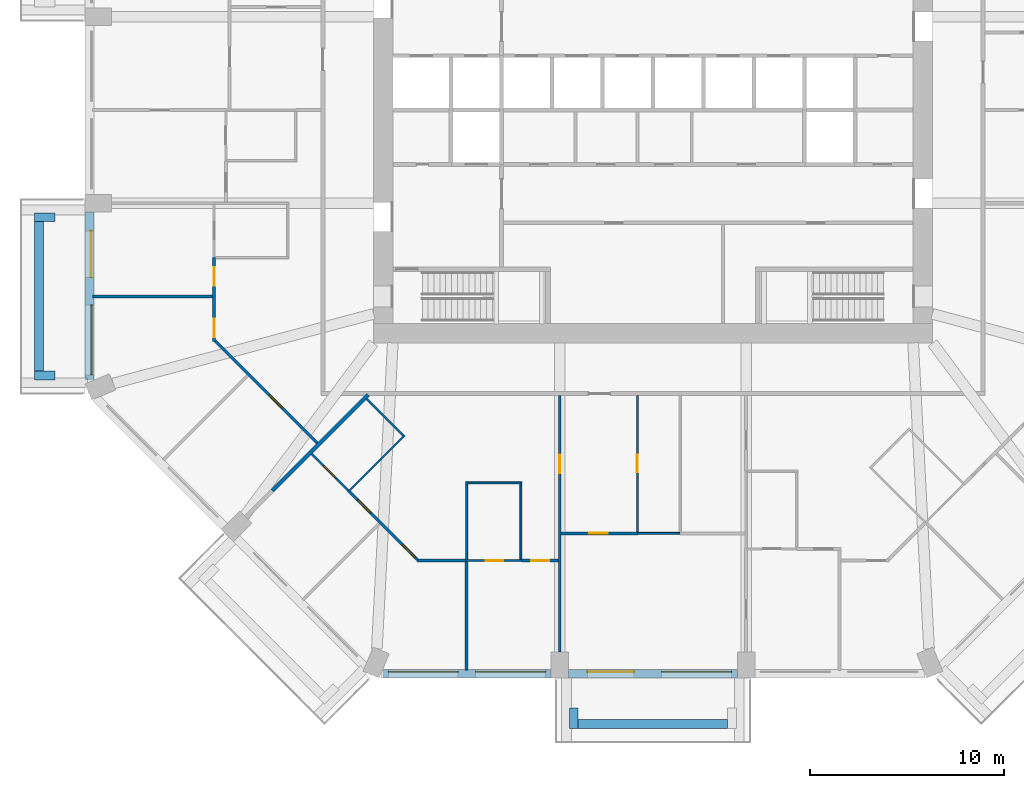
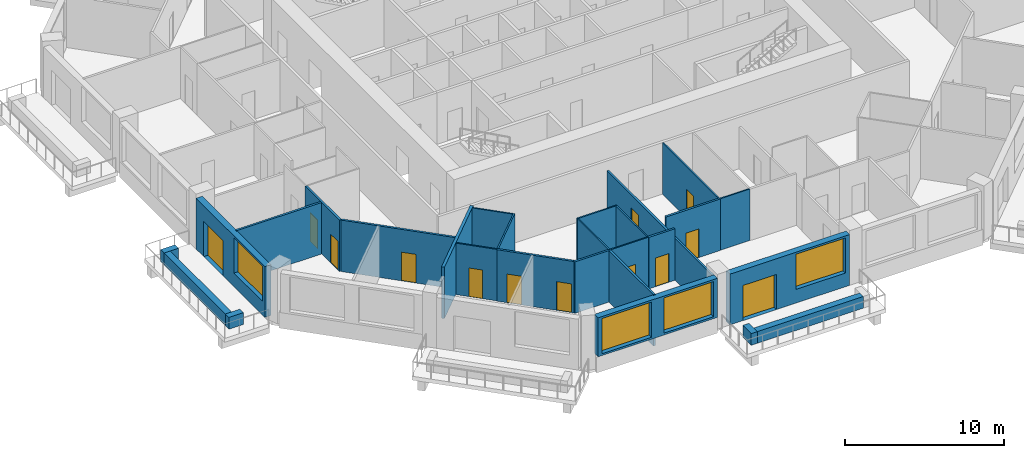
# One storey, part 3 of 13: 27 walls, 13 doors, 4 windows, 17 openings.
"""IFC4 building model written with IfcOpenShell, lengths in metres."""

from ifc_helpers import new_model, si_unit, direction, frame, frame_2d, origin, place, context, subcontext, project, spatial, rectangle, extrude, material, layer, layer_set, type_object, element, fill, save


model = new_model("IFC4")

# Units and contexts
model_context = context("Model", 3, precision=1e-05, world=origin(), true_north=direction((0.0, 1.0)))
body_context = subcontext(model_context, "Body", "Model", "MODEL_VIEW")
ifc_project = project(units=[si_unit("LENGTHUNIT", "METRE"), si_unit("AREAUNIT", "SQUARE_METRE"), si_unit("VOLUMEUNIT", "CUBIC_METRE"), si_unit("PLANEANGLEUNIT", "RADIAN"), si_unit("MASSUNIT", "GRAM", prefix="KILO")], contexts=[model_context])

# Site, building, storey
site_placement = place(None, origin())
site = spatial("IfcSite", under=ifc_project, at=site_placement, CompositionType="ELEMENT")
building_placement = place(site_placement, origin())
building = spatial("IfcBuilding", under=site, at=building_placement, Name="Msitu Wima Residences", CompositionType="ELEMENT")
storey_placement = place(building_placement, frame((0.0, 0.0, 59.10009765625)))
storey = spatial("IfcBuildingStorey", under=building, at=storey_placement, Name="L13", CompositionType="ELEMENT", Elevation=59.10009765625)

# Walls
ifc_material_1 = material(Name="Facing brick")
ifc_layer_1 = layer(ifc_material_1, 0.06494140625, Name="Facing brick")
ifc_material_2 = material(Name="Concrete C40/50", Category="concrete")
ifc_layer_2 = layer(ifc_material_2, 0.156005859375, Name="Concrete C40/50")
ifc_material_3 = material(Name="Waterproofing membrane")
ifc_layer_3 = layer(ifc_material_3, 0.00390625, Name="Waterproofing membrane")
ifc_material_4 = material(Name="Planting soil and planting")
ifc_layer_4 = layer(ifc_material_4, 0.22509765625, Name="Planting soil and planting")
ifc_layer_set_1 = layer_set([ifc_layer_1, ifc_layer_2, ifc_layer_3, ifc_layer_4], Name="Concrete C40/50")
wall_type_1 = type_object("IfcWallType", Name="Balcony planter PLANTER PL450", PredefinedType="USERDEFINED", material=ifc_layer_set_1)
wall_1_placement = place(storey_placement, frame((-31.625, -5.75, 0.0), z_axis=(0.0, 0.0, 1.0), x_axis=(0.0, -1.0, 0.0)))
element("IfcWall", 1, at=wall_1_placement, inside=storey, type_object=wall_type_1, Name="Balcony planter W2 L13", ObjectType="PLANTER", PredefinedType="USERDEFINED", context=body_context, shape_type="SweptSolid", body=[
    extrude(rectangle(XDim=7.699951171875, YDim=0.449951171875, at=frame_2d((3.85009765625, 0.0))), origin(), (0.0, 0.0, 1.0), 0.89990234375),
])
for number, where, z_axis, x_axis, name in (
    (2, (-30.800048828125, -5.52490234375, 0.0), (0.0, 0.0, 1.0), (-1.0, 0.0, 0.0), "Balcony planter W2 L13"),
    (3, (-30.800048828125, -13.675048828125, 0.0), (0.0, 0.0, 1.0), (-1.0, 0.0, 0.0), "Balcony planter W2 L13"),
):
    element("IfcWall", number, at=place(storey_placement, frame(where, z_axis=z_axis, x_axis=x_axis)), inside=storey, type_object=wall_type_1, Name=name, ObjectType="PLANTER", PredefinedType="USERDEFINED", context=body_context, shape_type="SweptSolid", body=[
        extrude(rectangle(XDim=1.050048828125, YDim=0.449951171875, at=frame_2d((0.52490234375, 0.0))), origin(), (0.0, 0.0, 1.0), 0.89990234375),
    ])
wall_2_placement = place(storey_placement, frame((-3.85009765625, -31.625, 0.0), z_axis=(0.0, 0.0, 1.0), x_axis=(1.0, 0.0, 0.0)))
element("IfcWall", 4, at=wall_2_placement, inside=storey, type_object=wall_type_1, Name="Balcony planter S1 L13", ObjectType="PLANTER", PredefinedType="USERDEFINED", context=body_context, shape_type="SweptSolid", body=[
    extrude(rectangle(XDim=7.7001953125, YDim=0.449951171875, at=frame_2d((3.85009765625, 0.0))), origin(), (0.0, 0.0, 1.0), 0.89990234375),
])
wall_3_placement = place(storey_placement, frame((-4.074951171875, -30.800048828125, 0.0), z_axis=(0.0, 0.0, 1.0), x_axis=(0.0, -1.0, 0.0)))
element("IfcWall", 5, at=wall_3_placement, inside=storey, type_object=wall_type_1, Name="Balcony planter S1 L13", ObjectType="PLANTER", PredefinedType="USERDEFINED", context=body_context, shape_type="SweptSolid", body=[
    extrude(rectangle(XDim=1.050048828125, YDim=0.449951171875, at=frame_2d((0.52490234375, 0.0))), origin(), (0.0, 0.0, 1.0), 0.89990234375),
])

# Wall, openings, door, window
ifc_material_5 = material(Name="Brick (red buff mix)", Category="masonry")
ifc_layer_5 = layer(ifc_material_5, 0.449951171875)
ifc_layer_set_2 = layer_set([ifc_layer_5], Name="Brick (red buff mix)")
wall_type_2 = type_object("IfcWallType", Name="Brick infill wall BW450", PredefinedType="SOLIDWALL", material=ifc_layer_set_2)
wall_4_placement = place(storey_placement, frame((-29.02490234375, -5.25, 0.0), z_axis=(0.0, 0.0, 1.0), x_axis=(0.0, -1.0, 0.0)))
wall_4 = element("IfcWall", 6, at=wall_4_placement, inside=storey, type_object=wall_type_2, Name="Brick infill wall L13 W2", PredefinedType="SOLIDWALL", context=body_context, shape_type="SweptSolid", body=[
    extrude(rectangle(XDim=8.662841796875, YDim=0.449951171875, at=frame_2d((4.33154296875, 0.0))), origin(), (0.0, 0.0, 1.0), 3.89990234375),
])
opening_1_placement = place(wall_4_placement, frame((0.9658203125, 0.0, 0.0)))
opening_1 = element("IfcOpeningElement", 7, at=opening_1_placement, cuts=wall_4, Name="Opening D13-15.010", PredefinedType="OPENING", context=body_context, shape_type="SweptSolid", body=[
    extrude(rectangle(XDim=2.39990234375, YDim=2.699951171875, at=frame_2d((1.199951171875, 1.35009765625))), frame((0.0, 0.23486328125, 0.0), z_axis=(0.0, -1.0, 0.0), x_axis=(1.0, 0.0, 0.0)), (0.0, 0.0, 1.0), 0.469970703125),
])
opening_2_placement = place(wall_4_placement, frame((4.781494140625, 0.0, 1.050048828125)))
opening_2 = element("IfcOpeningElement", 8, at=opening_2_placement, cuts=wall_4, Name="Opening W13-15.030", PredefinedType="OPENING", context=body_context, shape_type="SweptSolid", body=[
    extrude(rectangle(XDim=3.60009765625, YDim=2.699951171875, at=frame_2d((1.800048828125, 1.35009765625))), frame((0.0, 0.23486328125, 0.0), z_axis=(0.0, -1.0, 0.0), x_axis=(1.0, 0.0, 0.0)), (0.0, 0.0, 1.0), 0.469970703125),
])
ifc_material_6 = material(Name="Anodised aluminium, bronze finish, clear low-emissivity double glazing", Category="aluminium")
door_type_1 = type_object("IfcDoorType", Name="Balcony door D2400x2700", OperationType="SLIDING_TO_LEFT", PredefinedType="DOOR", material=ifc_material_6)
door_1_placement = place(opening_1_placement, origin())
door_1 = element("IfcDoor", 9, at=door_1_placement, inside=storey, type_object=door_type_1, Name="Balcony door L13 W2", OperationType="SINGLE_SWING_LEFT", OverallHeight=2.699951171875, OverallWidth=2.39990234375, PredefinedType="DOOR", context=body_context, shape_type="SweptSolid", body=[
    extrude(rectangle(XDim=2.39990234375, YDim=2.699951171875, at=frame_2d((1.199951171875, 1.35009765625))), frame((0.0, 0.1298828125, 0.0), z_axis=(0.0, -1.0, 0.0), x_axis=(1.0, 0.0, 0.0)), (0.0, 0.0, 1.0), 0.050048828125),
])
fill(opening_1, door_1)
window_type = type_object("IfcWindowType", Name="Window W3600x2700", PartitioningType="DOUBLE_PANEL_VERTICAL", PredefinedType="WINDOW", material=ifc_material_6)
window_1_placement = place(opening_2_placement, origin())
window_1 = element("IfcWindow", 10, at=window_1_placement, inside=storey, type_object=window_type, Name="Window L13 W2.2", OverallHeight=2.699951171875, OverallWidth=3.60009765625, PartitioningType="SINGLE_PANEL", PredefinedType="WINDOW", context=body_context, shape_type="SweptSolid", body=[
    extrude(rectangle(XDim=3.60009765625, YDim=2.699951171875, at=frame_2d((1.800048828125, 1.35009765625))), frame((0.0, 0.135009765625, 0.0), z_axis=(0.0, -1.0, 0.0), x_axis=(1.0, 0.0, 0.0)), (0.0, 0.0, 1.0), 0.06005859375),
])
fill(opening_2, window_1)

# Wall, openings, windows
wall_5_placement = place(storey_placement, frame((-13.912841796875, -29.02490234375, 0.89990234375), z_axis=(0.0, 0.0, 1.0), x_axis=(1.0, 0.0, 0.0)))
wall_5 = element("IfcWall", 11, at=wall_5_placement, inside=storey, type_object=wall_type_2, Name="Brick infill wall L13 S0", PredefinedType="SOLIDWALL", context=body_context, shape_type="SweptSolid", body=[
    extrude(rectangle(XDim=8.662841796875, YDim=0.449951171875, at=frame_2d((4.33154296875, 0.0))), origin(), (0.0, 0.0, 1.0), 3.0),
])
opening_3_placement = place(wall_5_placement, frame((0.281494140625, 0.0, 0.14990234375)))
opening_3 = element("IfcOpeningElement", 12, at=opening_3_placement, cuts=wall_5, Name="Opening W13-15.016", PredefinedType="OPENING", context=body_context, shape_type="SweptSolid", body=[
    extrude(rectangle(XDim=3.60009765625, YDim=2.699951171875, at=frame_2d((1.800048828125, 1.35009765625))), frame((0.0, 0.23486328125, 0.0), z_axis=(0.0, -1.0, 0.0), x_axis=(1.0, 0.0, 0.0)), (0.0, 0.0, 1.0), 0.469970703125),
])
opening_4_placement = place(wall_5_placement, frame((4.781494140625, 0.0, 0.14990234375)))
opening_4 = element("IfcOpeningElement", 13, at=opening_4_placement, cuts=wall_5, Name="Opening W13-15.017", PredefinedType="OPENING", context=body_context, shape_type="SweptSolid", body=[
    extrude(rectangle(XDim=3.60009765625, YDim=2.699951171875, at=frame_2d((1.800048828125, 1.35009765625))), frame((0.0, 0.23486328125, 0.0), z_axis=(0.0, -1.0, 0.0), x_axis=(1.0, 0.0, 0.0)), (0.0, 0.0, 1.0), 0.469970703125),
])
window_2_placement = place(opening_3_placement, origin())
window_2 = element("IfcWindow", 14, at=window_2_placement, inside=storey, type_object=window_type, Name="Window L13 S0.1", OverallHeight=2.699951171875, OverallWidth=3.60009765625, PartitioningType="SINGLE_PANEL", PredefinedType="WINDOW", context=body_context, shape_type="SweptSolid", body=[
    extrude(rectangle(XDim=3.60009765625, YDim=2.699951171875, at=frame_2d((1.800048828125, 1.35009765625))), frame((0.0, 0.135009765625, 0.0), z_axis=(0.0, -1.0, 0.0), x_axis=(1.0, 0.0, 0.0)), (0.0, 0.0, 1.0), 0.06005859375),
])
fill(opening_3, window_2)
window_3_placement = place(opening_4_placement, origin())
window_3 = element("IfcWindow", 15, at=window_3_placement, inside=storey, type_object=window_type, Name="Window L13 S0.2", OverallHeight=2.699951171875, OverallWidth=3.60009765625, PartitioningType="SINGLE_PANEL", PredefinedType="WINDOW", context=body_context, shape_type="SweptSolid", body=[
    extrude(rectangle(XDim=3.60009765625, YDim=2.699951171875, at=frame_2d((1.800048828125, 1.35009765625))), frame((0.0, 0.135009765625, 0.0), z_axis=(0.0, -1.0, 0.0), x_axis=(1.0, 0.0, 0.0)), (0.0, 0.0, 1.0), 0.06005859375),
])
fill(opening_4, window_3)

# Wall, openings, door, window
wall_6_placement = place(storey_placement, frame((-4.35009765625, -29.02490234375, 0.0), z_axis=(0.0, 0.0, 1.0), x_axis=(1.0, 0.0, 0.0)))
wall_6 = element("IfcWall", 16, at=wall_6_placement, inside=storey, type_object=wall_type_2, Name="Brick infill wall L13 S1", PredefinedType="SOLIDWALL", context=body_context, shape_type="SweptSolid", body=[
    extrude(rectangle(XDim=8.7001953125, YDim=0.449951171875, at=frame_2d((4.35009765625, 0.0))), origin(), (0.0, 0.0, 1.0), 3.89990234375),
])
opening_5_placement = place(wall_6_placement, frame((0.97509765625, 0.0, 0.0)))
opening_5 = element("IfcOpeningElement", 17, at=opening_5_placement, cuts=wall_6, Name="Opening D13-15.006", PredefinedType="OPENING", context=body_context, shape_type="SweptSolid", body=[
    extrude(rectangle(XDim=2.39990234375, YDim=2.699951171875, at=frame_2d((1.199951171875, 1.35009765625))), frame((0.0, 0.23486328125, 0.0), z_axis=(0.0, -1.0, 0.0), x_axis=(1.0, 0.0, 0.0)), (0.0, 0.0, 1.0), 0.469970703125),
])
opening_6_placement = place(wall_6_placement, frame((4.800048828125, 0.0, 1.050048828125)))
opening_6 = element("IfcOpeningElement", 18, at=opening_6_placement, cuts=wall_6, Name="Opening W13-15.018", PredefinedType="OPENING", context=body_context, shape_type="SweptSolid", body=[
    extrude(rectangle(XDim=3.60009765625, YDim=2.699951171875, at=frame_2d((1.800048828125, 1.35009765625))), frame((0.0, 0.23486328125, 0.0), z_axis=(0.0, -1.0, 0.0), x_axis=(1.0, 0.0, 0.0)), (0.0, 0.0, 1.0), 0.469970703125),
])
door_2_placement = place(opening_5_placement, origin())
door_2 = element("IfcDoor", 19, at=door_2_placement, inside=storey, type_object=door_type_1, Name="Balcony door L13 S1", OperationType="SINGLE_SWING_LEFT", OverallHeight=2.699951171875, OverallWidth=2.39990234375, PredefinedType="DOOR", context=body_context, shape_type="SweptSolid", body=[
    extrude(rectangle(XDim=2.39990234375, YDim=2.699951171875, at=frame_2d((1.199951171875, 1.35009765625))), frame((0.0, 0.1298828125, 0.0), z_axis=(0.0, -1.0, 0.0), x_axis=(1.0, 0.0, 0.0)), (0.0, 0.0, 1.0), 0.050048828125),
])
fill(opening_5, door_2)
window_4_placement = place(opening_6_placement, origin())
window_4 = element("IfcWindow", 20, at=window_4_placement, inside=storey, type_object=window_type, Name="Window L13 S1.2", OverallHeight=2.699951171875, OverallWidth=3.60009765625, PartitioningType="SINGLE_PANEL", PredefinedType="WINDOW", context=body_context, shape_type="SweptSolid", body=[
    extrude(rectangle(XDim=3.60009765625, YDim=2.699951171875, at=frame_2d((1.800048828125, 1.35009765625))), frame((0.0, 0.135009765625, 0.0), z_axis=(0.0, -1.0, 0.0), x_axis=(1.0, 0.0, 0.0)), (0.0, 0.0, 1.0), 0.06005859375),
])
fill(opening_6, window_4)

# Wall
ifc_material_7 = material(Name="Plaster")
ifc_layer_6 = layer(ifc_material_7, 0.011962890625, Name="Plaster")
ifc_material_8 = material(Name="Concrete blockwork", Category="masonry")
ifc_layer_7 = layer(ifc_material_8, 0.1259765625, Name="Concrete blockwork")
ifc_layer_8 = layer(ifc_material_7, 0.011962890625, Name="Plaster")
ifc_layer_set_3 = layer_set([ifc_layer_6, ifc_layer_7, ifc_layer_8], Name="Concrete blockwork")
wall_type_3 = type_object("IfcWallType", Name="Partition PW150", PredefinedType="PARTITIONING", material=ifc_layer_set_3)
wall_7_placement = place(storey_placement, frame((-28.85498046875, -9.60009765625, 0.0), z_axis=(0.0, 0.0, 1.0), x_axis=(1.0, 0.0, 0.0)))
element("IfcWall", 21, at=wall_7_placement, inside=storey, type_object=wall_type_3, Name="Partition", PredefinedType="PARTITIONING", context=body_context, shape_type="SweptSolid", body=[
    extrude(rectangle(XDim=6.179931640625, YDim=0.14990234375, at=frame_2d((3.08984375, 0.0))), origin(), (0.0, 0.0, 1.0), 3.949951171875),
])

# Wall, openings, doors
wall_8_placement = place(storey_placement, frame((-22.60009765625, -11.906982421875, 0.0), z_axis=(0.0, 0.0, 1.0), x_axis=(0.0, 1.0, 0.0)))
wall_8 = element("IfcWall", 22, at=wall_8_placement, inside=storey, type_object=wall_type_3, Name="Partition", PredefinedType="PARTITIONING", context=body_context, shape_type="SweptSolid", body=[
    extrude(rectangle(XDim=4.306884765625, YDim=0.14990234375, at=frame_2d((2.1533203125, 0.0))), origin(), (0.0, 0.0, 1.0), 3.949951171875),
])
opening_7_placement = place(wall_8_placement, frame((2.85009765625, 0.0, 0.0)))
opening_7 = element("IfcOpeningElement", 23, at=opening_7_placement, cuts=wall_8, Name="Opening D13-15.052", PredefinedType="OPENING", context=body_context, shape_type="SweptSolid", body=[
    extrude(rectangle(XDim=0.949951171875, YDim=2.199951171875, at=frame_2d((0.47509765625, 1.10009765625))), frame((0.0, 0.0849609375, 0.0), z_axis=(0.0, -1.0, 0.0), x_axis=(1.0, 0.0, 0.0)), (0.0, 0.0, 1.0), 0.169921875),
])
opening_8_placement = place(wall_8_placement, frame((0.199951171875, 0.0, 0.0)))
opening_8 = element("IfcOpeningElement", 24, at=opening_8_placement, cuts=wall_8, Name="Opening D13-15.055", PredefinedType="OPENING", context=body_context, shape_type="SweptSolid", body=[
    extrude(rectangle(XDim=0.949951171875, YDim=2.199951171875, at=frame_2d((0.47509765625, 1.10009765625))), frame((0.0, 0.0849609375, 0.0), z_axis=(0.0, -1.0, 0.0), x_axis=(1.0, 0.0, 0.0)), (0.0, 0.0, 1.0), 0.169921875),
])
ifc_material_9 = material(Name="Timber flush door", Category="wood")
door_type_2 = type_object("IfcDoorType", Name="Room door D12 950x2200", OperationType="SINGLE_SWING_LEFT", PredefinedType="DOOR", material=ifc_material_9)
door_3_placement = place(opening_7_placement, origin())
door_3 = element("IfcDoor", 25, at=door_3_placement, inside=storey, type_object=door_type_2, Name="Room door", OperationType="SINGLE_SWING_LEFT", OverallHeight=2.199951171875, OverallWidth=0.949951171875, PredefinedType="DOOR", context=body_context, shape_type="SweptSolid", body=[
    extrude(rectangle(XDim=0.949951171875, YDim=2.199951171875, at=frame_2d((0.47509765625, 1.10009765625))), frame((0.0, 0.02490234375, 0.0), z_axis=(0.0, -1.0, 0.0), x_axis=(1.0, 0.0, 0.0)), (0.0, 0.0, 1.0), 0.050048828125),
])
fill(opening_7, door_3)
door_4_placement = place(opening_8_placement, origin())
door_4 = element("IfcDoor", 26, at=door_4_placement, inside=storey, type_object=door_type_2, Name="Room door", OperationType="SINGLE_SWING_RIGHT", OverallHeight=2.199951171875, OverallWidth=0.949951171875, PredefinedType="DOOR", context=body_context, shape_type="SweptSolid", body=[
    extrude(rectangle(XDim=0.949951171875, YDim=2.199951171875, at=frame_2d((0.47509765625, 1.10009765625))), frame((0.0, 0.02490234375, 0.0), z_axis=(0.0, -1.0, 0.0), x_axis=(1.0, 0.0, 0.0)), (0.0, 0.0, 1.0), 0.050048828125),
])
fill(opening_8, door_4)

# Wall, opening, door
wall_9_placement = place(storey_placement, frame((-22.546875, -11.885009765625, 0.0), z_axis=(0.0, 0.0, 1.0), x_axis=(0.707106781187, -0.707106781187, 0.0)))
wall_9 = element("IfcWall", 27, at=wall_9_placement, inside=storey, type_object=wall_type_3, Name="Partition", PredefinedType="PARTITIONING", context=body_context, shape_type="SweptSolid", body=[
    extrude(rectangle(XDim=7.439208984375, YDim=0.14990234375, at=frame_2d((3.7197265625, 0.0))), origin(), (0.0, 0.0, 1.0), 3.949951171875),
])
opening_9_placement = place(wall_9_placement, frame((3.949951171875, 0.0, 0.0)))
opening_9 = element("IfcOpeningElement", 28, at=opening_9_placement, cuts=wall_9, Name="Opening D13-15.054", PredefinedType="OPENING", context=body_context, shape_type="SweptSolid", body=[
    extrude(rectangle(XDim=0.949951171875, YDim=2.199951171875, at=frame_2d((0.47509765625, 1.10009765625))), frame((0.0, 0.0849609375, 0.0), z_axis=(0.0, -1.0, 0.0), x_axis=(1.0, 0.0, 0.0)), (0.0, 0.0, 1.0), 0.169921875),
])
door_5_placement = place(opening_9_placement, origin())
door_5 = element("IfcDoor", 29, at=door_5_placement, inside=storey, type_object=door_type_2, Name="Room door", OperationType="SINGLE_SWING_RIGHT", OverallHeight=2.199951171875, OverallWidth=0.949951171875, PredefinedType="DOOR", context=body_context, shape_type="SweptSolid", body=[
    extrude(rectangle(XDim=0.949951171875, YDim=2.199951171875, at=frame_2d((0.47509765625, 1.10009765625))), frame((0.0, 0.02490234375, 0.0), z_axis=(0.0, -1.0, 0.0), x_axis=(1.0, 0.0, 0.0)), (0.0, 0.0, 1.0), 0.050048828125),
])
fill(opening_9, door_5)

# Wall, openings, doors
wall_10_placement = place(storey_placement, frame((-15.674560546875, -19.60595703125, 0.0), z_axis=(0.0, 0.0, 1.0), x_axis=(0.707106781187, -0.707106781187, 0.0)))
wall_10 = element("IfcWall", 30, at=wall_10_placement, inside=storey, type_object=wall_type_3, Name="Partition", PredefinedType="PARTITIONING", context=body_context, shape_type="SweptSolid", body=[
    extrude(rectangle(XDim=5.0078125, YDim=0.14990234375, at=frame_2d((2.50390625, 0.0))), origin(), (0.0, 0.0, 1.0), 3.949951171875),
])
opening_10_placement = place(wall_10_placement, frame((0.64990234375, 0.0, 0.0)))
opening_10 = element("IfcOpeningElement", 31, at=opening_10_placement, cuts=wall_10, Name="Opening D13-15.068", PredefinedType="OPENING", context=body_context, shape_type="SweptSolid", body=[
    extrude(rectangle(XDim=0.949951171875, YDim=2.199951171875, at=frame_2d((0.47509765625, 1.10009765625))), frame((0.0, 0.0849609375, 0.0), z_axis=(0.0, -1.0, 0.0), x_axis=(1.0, 0.0, 0.0)), (0.0, 0.0, 1.0), 0.169921875),
])
opening_11_placement = place(wall_10_placement, frame((3.89990234375, 0.0, 0.0)))
opening_11 = element("IfcOpeningElement", 32, at=opening_11_placement, cuts=wall_10, Name="Opening D13-15.073", PredefinedType="OPENING", context=body_context, shape_type="SweptSolid", body=[
    extrude(rectangle(XDim=0.949951171875, YDim=2.199951171875, at=frame_2d((0.47509765625, 1.10009765625))), frame((0.0, 0.0849609375, 0.0), z_axis=(0.0, -1.0, 0.0), x_axis=(1.0, 0.0, 0.0)), (0.0, 0.0, 1.0), 0.169921875),
])
door_6_placement = place(opening_10_placement, origin())
door_6 = element("IfcDoor", 33, at=door_6_placement, inside=storey, type_object=door_type_2, Name="Room door", OperationType="SINGLE_SWING_LEFT", OverallHeight=2.199951171875, OverallWidth=0.949951171875, PredefinedType="DOOR", context=body_context, shape_type="SweptSolid", body=[
    extrude(rectangle(XDim=0.949951171875, YDim=2.199951171875, at=frame_2d((0.47509765625, 1.10009765625))), frame((0.0, 0.02490234375, 0.0), z_axis=(0.0, -1.0, 0.0), x_axis=(1.0, 0.0, 0.0)), (0.0, 0.0, 1.0), 0.050048828125),
])
fill(opening_10, door_6)
door_7_placement = place(opening_11_placement, origin())
door_7 = element("IfcDoor", 34, at=door_7_placement, inside=storey, type_object=door_type_2, Name="Room door", OperationType="SINGLE_SWING_RIGHT", OverallHeight=2.199951171875, OverallWidth=0.949951171875, PredefinedType="DOOR", context=body_context, shape_type="SweptSolid", body=[
    extrude(rectangle(XDim=0.949951171875, YDim=2.199951171875, at=frame_2d((0.47509765625, 1.10009765625))), frame((0.0, 0.02490234375, 0.0), z_axis=(0.0, -1.0, 0.0), x_axis=(1.0, 0.0, 0.0)), (0.0, 0.0, 1.0), 0.050048828125),
])
fill(opening_11, door_7)

# Walls
wall_11_placement = place(storey_placement, frame((-12.155517578125, -23.199951171875, 0.0), z_axis=(0.0, 0.0, 1.0), x_axis=(1.0, 0.0, 0.0)))
element("IfcWall", 35, at=wall_11_placement, inside=storey, type_object=wall_type_3, Name="Partition", PredefinedType="PARTITIONING", context=body_context, shape_type="SweptSolid", body=[
    extrude(rectangle(XDim=2.535400390625, YDim=0.14990234375, at=frame_2d((1.267578125, 0.0))), origin(), (0.0, 0.0, 1.0), 3.949951171875),
])
wall_12_placement = place(storey_placement, frame((-9.60009765625, -28.85498046875, 0.0), z_axis=(0.0, 0.0, 1.0), x_axis=(0.0, 1.0, 0.0)))
element("IfcWall", 36, at=wall_12_placement, inside=storey, type_object=wall_type_3, Name="Partition", PredefinedType="PARTITIONING", context=body_context, shape_type="SweptSolid", body=[
    extrude(rectangle(XDim=5.675048828125, YDim=0.14990234375, at=frame_2d((2.83740234375, 0.0))), origin(), (0.0, 0.0, 1.0), 3.949951171875),
])

# Wall, opening, door
wall_13_placement = place(storey_placement, frame((-6.780029296875, -23.199951171875, 0.0), z_axis=(0.0, 0.0, 1.0), x_axis=(1.0, 0.0, 0.0)))
wall_13 = element("IfcWall", 37, at=wall_13_placement, inside=storey, type_object=wall_type_3, Name="Partition", PredefinedType="PARTITIONING", context=body_context, shape_type="SweptSolid", body=[
    extrude(rectangle(XDim=1.905029296875, YDim=0.14990234375, at=frame_2d((0.95263671875, 0.0))), origin(), (0.0, 0.0, 1.0), 3.949951171875),
])
opening_12_placement = place(wall_13_placement, frame((0.5, 0.0, 0.0)))
opening_12 = element("IfcOpeningElement", 38, at=opening_12_placement, cuts=wall_13, Name="Opening D13-15.070", PredefinedType="OPENING", context=body_context, shape_type="SweptSolid", body=[
    extrude(rectangle(XDim=0.949951171875, YDim=2.199951171875, at=frame_2d((0.47509765625, 1.10009765625))), frame((0.0, 0.0849609375, 0.0), z_axis=(0.0, -1.0, 0.0), x_axis=(1.0, 0.0, 0.0)), (0.0, 0.0, 1.0), 0.169921875),
])
door_8_placement = place(opening_12_placement, origin())
door_8 = element("IfcDoor", 39, at=door_8_placement, inside=storey, type_object=door_type_2, Name="Room door", OperationType="SINGLE_SWING_LEFT", OverallHeight=2.199951171875, OverallWidth=0.949951171875, PredefinedType="DOOR", context=body_context, shape_type="SweptSolid", body=[
    extrude(rectangle(XDim=0.949951171875, YDim=2.199951171875, at=frame_2d((0.47509765625, 1.10009765625))), frame((0.0, 0.02490234375, 0.0), z_axis=(0.0, -1.0, 0.0), x_axis=(1.0, 0.0, 0.0)), (0.0, 0.0, 1.0), 0.050048828125),
])
fill(opening_12, door_8)

wall_14_placement = place(storey_placement, frame((-4.800048828125, -27.89990234375, 0.0), z_axis=(0.0, 0.0, 1.0), x_axis=(0.0, 1.0, 0.0)))
wall_14 = element("IfcWall", 40, at=wall_14_placement, inside=storey, type_object=wall_type_3, Name="Partition", PredefinedType="PARTITIONING", context=body_context, shape_type="SweptSolid", body=[
    extrude(rectangle(XDim=13.199951171875, YDim=0.14990234375, at=frame_2d((6.60009765625, 0.0))), origin(), (0.0, 0.0, 1.0), 3.199951171875),
])
opening_13_placement = place(wall_14_placement, frame((9.199951171875, 0.0, 0.0)))
opening_13 = element("IfcOpeningElement", 41, at=opening_13_placement, cuts=wall_14, Name="Opening D13-15.065", PredefinedType="OPENING", context=body_context, shape_type="SweptSolid", body=[
    extrude(rectangle(XDim=0.949951171875, YDim=2.199951171875, at=frame_2d((0.47509765625, 1.10009765625))), frame((0.0, 0.0849609375, 0.0), z_axis=(0.0, -1.0, 0.0), x_axis=(1.0, 0.0, 0.0)), (0.0, 0.0, 1.0), 0.169921875),
])
door_9_placement = place(opening_13_placement, origin())
door_9 = element("IfcDoor", 42, at=door_9_placement, inside=storey, type_object=door_type_2, Name="Room door", OperationType="SINGLE_SWING_RIGHT", OverallHeight=2.199951171875, OverallWidth=0.949951171875, PredefinedType="DOOR", context=body_context, shape_type="SweptSolid", body=[
    extrude(rectangle(XDim=0.949951171875, YDim=2.199951171875, at=frame_2d((0.47509765625, 1.10009765625))), frame((0.0, 0.02490234375, 0.0), z_axis=(0.0, -1.0, 0.0), x_axis=(1.0, 0.0, 0.0)), (0.0, 0.0, 1.0), 0.050048828125),
])
fill(opening_13, door_9)

wall_15_placement = place(storey_placement, frame((-4.72509765625, -21.800048828125, 0.0), z_axis=(0.0, 0.0, 1.0), x_axis=(1.0, 0.0, 0.0)))
wall_15 = element("IfcWall", 43, at=wall_15_placement, inside=storey, type_object=wall_type_3, Name="Partition", PredefinedType="PARTITIONING", context=body_context, shape_type="SweptSolid", body=[
    extrude(rectangle(XDim=3.945068359375, YDim=0.14990234375, at=frame_2d((1.97265625, 0.0))), origin(), (0.0, 0.0, 1.0), 3.949951171875),
])
opening_14_placement = place(wall_15_placement, frame((1.449951171875, 0.0, 0.0)))
opening_14 = element("IfcOpeningElement", 44, at=opening_14_placement, cuts=wall_15, Name="Opening D13-15.066", PredefinedType="OPENING", context=body_context, shape_type="SweptSolid", body=[
    extrude(rectangle(XDim=0.949951171875, YDim=2.199951171875, at=frame_2d((0.47509765625, 1.10009765625))), frame((0.0, 0.0849609375, 0.0), z_axis=(0.0, -1.0, 0.0), x_axis=(1.0, 0.0, 0.0)), (0.0, 0.0, 1.0), 0.169921875),
])
door_10_placement = place(opening_14_placement, origin())
door_10 = element("IfcDoor", 45, at=door_10_placement, inside=storey, type_object=door_type_2, Name="Room door", OperationType="SINGLE_SWING_RIGHT", OverallHeight=2.199951171875, OverallWidth=0.949951171875, PredefinedType="DOOR", context=body_context, shape_type="SweptSolid", body=[
    extrude(rectangle(XDim=0.949951171875, YDim=2.199951171875, at=frame_2d((0.47509765625, 1.10009765625))), frame((0.0, 0.02490234375, 0.0), z_axis=(0.0, -1.0, 0.0), x_axis=(1.0, 0.0, 0.0)), (0.0, 0.0, 1.0), 0.050048828125),
])
fill(opening_14, door_10)

# Wall
ifc_layer_9 = layer(ifc_material_7, 0.011962890625, Name="Plaster")
ifc_material_10 = material(Name="Dense concrete blockwork", Category="masonry")
ifc_layer_10 = layer(ifc_material_10, 0.176025390625, Name="Dense concrete blockwork")
ifc_layer_11 = layer(ifc_material_7, 0.011962890625, Name="Plaster")
ifc_layer_set_4 = layer_set([ifc_layer_9, ifc_layer_10, ifc_layer_11], Name="Dense concrete blockwork")
wall_type_4 = type_object("IfcWallType", Name="Party wall PW200", PredefinedType="PARTITIONING", material=ifc_layer_set_4)
wall_16_placement = place(storey_placement, frame((-19.605712890625, -19.605712890625, 0.0), z_axis=(0.0, 0.0, 1.0), x_axis=(0.707106781187, 0.707106781187, 0.0)))
element("IfcWall", 46, at=wall_16_placement, inside=storey, type_object=wall_type_4, Name="Party wall", PredefinedType="PARTITIONING", context=body_context, shape_type="SweptSolid", body=[
    extrude(rectangle(XDim=6.979248046875, YDim=0.199951171875, at=frame_2d((3.48974609375, 0.0))), origin(), (0.0, 0.0, 1.0), 3.949951171875),
])

# Wall, opening, door
ifc_material_11 = material(Name="Ceramic tiles")
ifc_layer_12 = layer(ifc_material_11, 0.008056640625, Name="Ceramic tiles")
ifc_material_12 = material(Name="Moisture-resistant board")
ifc_layer_13 = layer(ifc_material_12, 0.012451171875, Name="Moisture-resistant board")
ifc_material_13 = material(Name="Light-gauge stud framing with mineral wool")
ifc_layer_14 = layer(ifc_material_13, 0.06689453125, Name="Light-gauge stud framing with mineral wool")
ifc_layer_15 = layer(ifc_material_12, 0.012451171875, Name="Moisture-resistant board")
ifc_layer_set_5 = layer_set([ifc_layer_12, ifc_layer_13, ifc_layer_14, ifc_layer_15], Name="Light-gauge stud framing with mineral wool")
wall_type_5 = type_object("IfcWallType", Name="Wet wall PW100", PredefinedType="PARTITIONING", material=ifc_layer_set_5)
wall_17_placement = place(storey_placement, frame((-17.569580078125, -17.7109375, 0.0), z_axis=(0.0, 0.0, 1.0), x_axis=(0.707106781187, -0.707106781187, 0.0)))
wall_17 = element("IfcWall", 47, at=wall_17_placement, inside=storey, type_object=wall_type_5, Name="Wet wall", PredefinedType="PARTITIONING", context=body_context, shape_type="SweptSolid", body=[
    extrude(rectangle(XDim=2.679931640625, YDim=0.10009765625, at=frame_2d((1.33984375, 0.0))), origin(), (0.0, 0.0, 1.0), 3.949951171875),
])
opening_15_placement = place(wall_17_placement, frame((0.85009765625, 0.0, 0.0)))
opening_15 = element("IfcOpeningElement", 48, at=opening_15_placement, cuts=wall_17, Name="Opening D13-15.069", PredefinedType="OPENING", context=body_context, shape_type="SweptSolid", body=[
    extrude(rectangle(XDim=0.89990234375, YDim=2.199951171875, at=frame_2d((0.449951171875, 1.10009765625))), frame((0.0, 0.06005859375, 0.0), z_axis=(0.0, -1.0, 0.0), x_axis=(1.0, 0.0, 0.0)), (0.0, 0.0, 1.0), 0.1201171875),
])
ifc_material_14 = material(Name="Timber flush door, moisture resistant", Category="wood")
door_type_3 = type_object("IfcDoorType", Name="Bathroom door D03 900x2200", OperationType="SINGLE_SWING_LEFT", PredefinedType="DOOR", material=ifc_material_14)
door_11_placement = place(opening_15_placement, origin())
door_11 = element("IfcDoor", 49, at=door_11_placement, inside=storey, type_object=door_type_3, Name="Bathroom door", OperationType="SINGLE_SWING_LEFT", OverallHeight=2.199951171875, OverallWidth=0.89990234375, PredefinedType="DOOR", context=body_context, shape_type="SweptSolid", body=[
    extrude(rectangle(XDim=0.89990234375, YDim=2.199951171875, at=frame_2d((0.449951171875, 1.10009765625))), frame((0.0, 0.02490234375, 0.0), z_axis=(0.0, -1.0, 0.0), x_axis=(1.0, 0.0, 0.0)), (0.0, 0.0, 1.0), 0.050048828125),
])
fill(opening_15, door_11)

# Walls
wall_18_placement = place(storey_placement, frame((-15.607177734375, -19.567138671875, 0.0), z_axis=(0.0, 0.0, 1.0), x_axis=(0.707076070127, 0.707137490912, 0.0)))
element("IfcWall", 50, at=wall_18_placement, inside=storey, type_object=wall_type_5, Name="Wet wall", PredefinedType="PARTITIONING", context=body_context, shape_type="SweptSolid", body=[
    extrude(rectangle(XDim=3.974853515625, YDim=0.10009765625, at=frame_2d((1.9873046875, 0.0))), origin(), (0.0, 0.0, 1.0), 3.949951171875),
])
wall_19_placement = place(storey_placement, frame((-14.740966796875, -14.882568359375, 0.0), z_axis=(0.0, 0.0, 1.0), x_axis=(0.707106781187, -0.707106781187, 0.0)))
element("IfcWall", 51, at=wall_19_placement, inside=storey, type_object=wall_type_5, Name="Wet wall", PredefinedType="PARTITIONING", context=body_context, shape_type="SweptSolid", body=[
    extrude(rectangle(XDim=2.64990234375, YDim=0.10009765625, at=frame_2d((1.324951171875, 0.0))), origin(), (0.0, 0.0, 1.0), 3.949951171875),
])

# Wall, opening, door
wall_20_placement = place(storey_placement, frame((-9.6201171875, -23.199951171875, 0.0), z_axis=(0.0, 0.0, 1.0), x_axis=(1.0, 0.0, 0.0)))
wall_20 = element("IfcWall", 52, at=wall_20_placement, inside=storey, type_object=wall_type_5, Name="Wet wall", PredefinedType="PARTITIONING", context=body_context, shape_type="SweptSolid", body=[
    extrude(rectangle(XDim=2.840087890625, YDim=0.10009765625, at=frame_2d((1.419921875, 0.0))), origin(), (0.0, 0.0, 1.0), 3.949951171875),
])
opening_16_placement = place(wall_20_placement, frame((1.0, 0.0, 0.0)))
opening_16 = element("IfcOpeningElement", 53, at=opening_16_placement, cuts=wall_20, Name="Opening D13-15.072", PredefinedType="OPENING", context=body_context, shape_type="SweptSolid", body=[
    extrude(rectangle(XDim=0.89990234375, YDim=2.199951171875, at=frame_2d((0.449951171875, 1.10009765625))), frame((0.0, 0.06005859375, 0.0), z_axis=(0.0, -1.0, 0.0), x_axis=(1.0, 0.0, 0.0)), (0.0, 0.0, 1.0), 0.1201171875),
])
door_12_placement = place(opening_16_placement, origin())
door_12 = element("IfcDoor", 54, at=door_12_placement, inside=storey, type_object=door_type_3, Name="Bathroom door", OperationType="SINGLE_SWING_RIGHT", OverallHeight=2.199951171875, OverallWidth=0.89990234375, PredefinedType="DOOR", context=body_context, shape_type="SweptSolid", body=[
    extrude(rectangle(XDim=0.89990234375, YDim=2.199951171875, at=frame_2d((0.449951171875, 1.10009765625))), frame((0.0, 0.02490234375, 0.0), z_axis=(0.0, -1.0, 0.0), x_axis=(1.0, 0.0, 0.0)), (0.0, 0.0, 1.0), 0.050048828125),
])
fill(opening_16, door_12)

# Walls
wall_21_placement = place(storey_placement, frame((-9.60009765625, -23.179931640625, 0.0), z_axis=(0.0, 0.0, 1.0), x_axis=(0.0, 1.0, 0.0)))
element("IfcWall", 55, at=wall_21_placement, inside=storey, type_object=wall_type_5, Name="Wet wall", PredefinedType="PARTITIONING", context=body_context, shape_type="SweptSolid", body=[
    extrude(rectangle(XDim=3.929931640625, YDim=0.10009765625, at=frame_2d((1.96484375, 0.0))), origin(), (0.0, 0.0, 1.0), 3.949951171875),
])
wall_22_placement = place(storey_placement, frame((-9.64990234375, -19.199951171875, 0.0), z_axis=(0.0, 0.0, 1.0), x_axis=(1.0, 0.0, 0.0)))
element("IfcWall", 56, at=wall_22_placement, inside=storey, type_object=wall_type_5, Name="Wet wall", PredefinedType="PARTITIONING", context=body_context, shape_type="SweptSolid", body=[
    extrude(rectangle(XDim=2.89990234375, YDim=0.10009765625, at=frame_2d((1.449951171875, 0.0))), origin(), (0.0, 0.0, 1.0), 3.949951171875),
])
wall_23_placement = place(storey_placement, frame((-6.800048828125, -23.125, 0.0), z_axis=(0.0, 0.0, 1.0), x_axis=(0.0, 1.0, 0.0)))
element("IfcWall", 57, at=wall_23_placement, inside=storey, type_object=wall_type_5, Name="Wet wall", PredefinedType="PARTITIONING", context=body_context, shape_type="SweptSolid", body=[
    extrude(rectangle(XDim=3.875, YDim=0.10009765625, at=frame_2d((1.9375, 0.0))), origin(), (0.0, 0.0, 1.0), 3.949951171875),
])
wall_24_placement = place(storey_placement, frame((-0.780029296875, -21.800048828125, 0.0), z_axis=(0.0, 0.0, 1.0), x_axis=(1.0, 0.0, 0.0)))
element("IfcWall", 58, at=wall_24_placement, inside=storey, type_object=wall_type_5, Name="Wet wall", PredefinedType="PARTITIONING", context=body_context, shape_type="SweptSolid", body=[
    extrude(rectangle(XDim=2.159912109375, YDim=0.10009765625, at=frame_2d((1.080078125, 0.0))), origin(), (0.0, 0.0, 1.0), 3.949951171875),
])

# Wall, opening, door
wall_25_placement = place(storey_placement, frame((-0.800048828125, -21.75, 0.0), z_axis=(0.0, 0.0, 1.0), x_axis=(0.0, 1.0, 0.0)))
wall_25 = element("IfcWall", 59, at=wall_25_placement, inside=storey, type_object=wall_type_5, Name="Wet wall", PredefinedType="PARTITIONING", context=body_context, shape_type="SweptSolid", body=[
    extrude(rectangle(XDim=7.050048828125, YDim=0.10009765625, at=frame_2d((3.52490234375, 0.0))), origin(), (0.0, 0.0, 1.0), 3.949951171875),
])
opening_17_placement = place(wall_25_placement, frame((3.10009765625, 0.0, 0.0)))
opening_17 = element("IfcOpeningElement", 60, at=opening_17_placement, cuts=wall_25, Name="Opening D13-15.067", PredefinedType="OPENING", context=body_context, shape_type="SweptSolid", body=[
    extrude(rectangle(XDim=0.89990234375, YDim=2.199951171875, at=frame_2d((0.449951171875, 1.10009765625))), frame((0.0, 0.06005859375, 0.0), z_axis=(0.0, -1.0, 0.0), x_axis=(1.0, 0.0, 0.0)), (0.0, 0.0, 1.0), 0.1201171875),
])
door_13_placement = place(opening_17_placement, origin())
door_13 = element("IfcDoor", 61, at=door_13_placement, inside=storey, type_object=door_type_3, Name="Bathroom door", OperationType="SINGLE_SWING_LEFT", OverallHeight=2.199951171875, OverallWidth=0.89990234375, PredefinedType="DOOR", context=body_context, shape_type="SweptSolid", body=[
    extrude(rectangle(XDim=0.89990234375, YDim=2.199951171875, at=frame_2d((0.449951171875, 1.10009765625))), frame((0.0, 0.02490234375, 0.0), z_axis=(0.0, -1.0, 0.0), x_axis=(1.0, 0.0, 0.0)), (0.0, 0.0, 1.0), 0.050048828125),
])
fill(opening_17, door_13)

save(model, "model.ifc")
